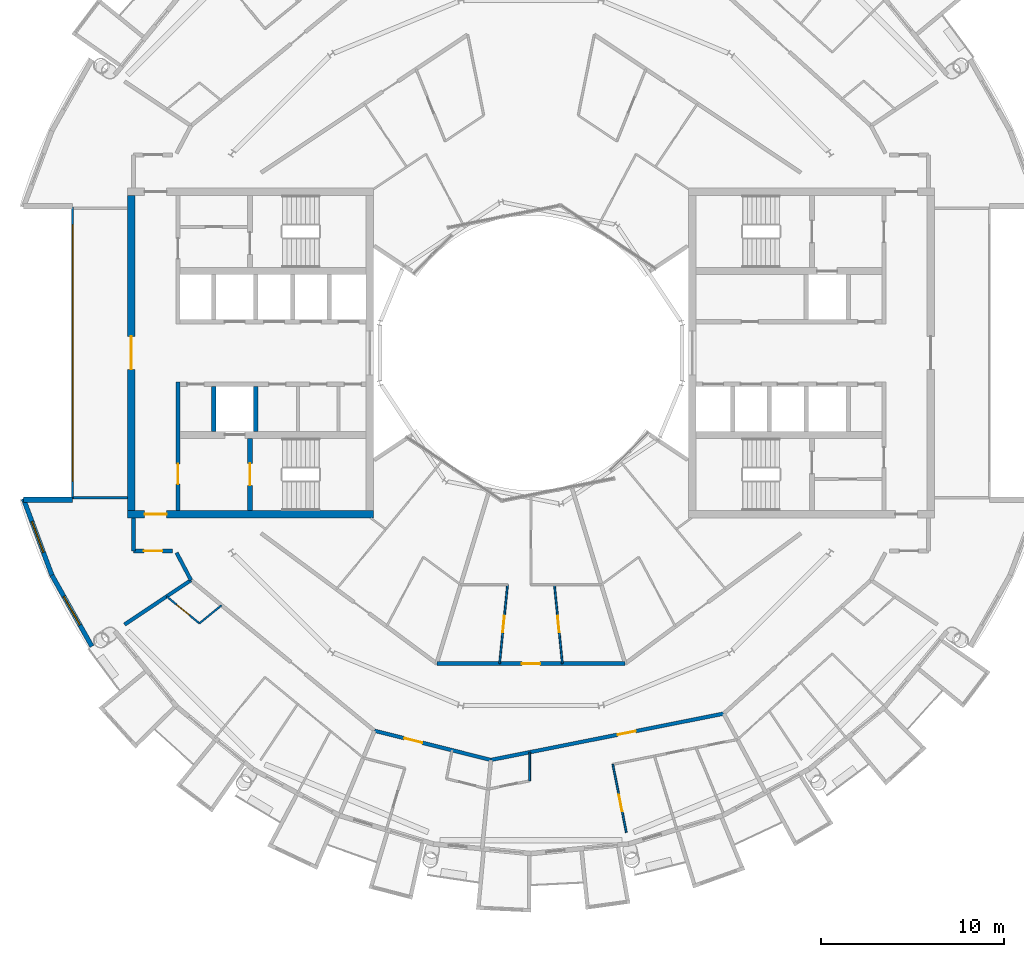
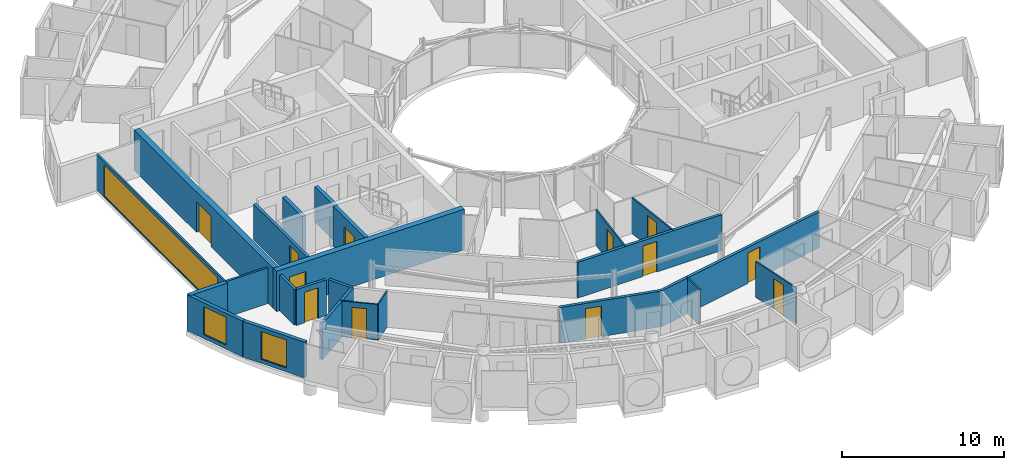
# One storey, part 16 of 28: 24 walls, 12 doors, 3 windows, 15 openings.
"""IFC4 building model written with IfcOpenShell, lengths in metres."""

import ifcopenshell
import ifcopenshell.guid

model = None  # the IFC model being written
_history = None  # IfcOwnerHistory: only IFC2X3 demands one
_inside = {}  # id of a spatial element -> (the spatial element, [elements in it])
_under = {}  # id of a project, library or spatial element -> (it, [spatial elements below it])
_declared = {}  # id of a project -> (the project, [libraries it declares])
_typed = {}  # id of a type object -> (the type object, [elements of that type])
_made_of = {}  # id of a material, layer set ... -> (it, [elements and type objects made of it])


def new_model(schema):
    """Start an empty IFC model of exactly this schema.

    Asked for "IFC4X3", IfcOpenShell would pick the latest addendum, in which some entities
    have other attributes; the version numbers below select the first issue.
    IFC2X3 requires an IfcOwnerHistory on every rooted entity: one is made here for all.
    """
    global model, _history
    if schema == "IFC4X3":
        model = ifcopenshell.file(schema_version=(4, 3, 0, 0))
    else:
        model = ifcopenshell.file(schema=schema)
    _inside.clear()
    _under.clear()
    _declared.clear()
    _typed.clear()
    _made_of.clear()
    _history = None
    if model.schema == "IFC2X3":
        org = make("IfcOrganization", Name="unknown")
        user = make(
            "IfcPersonAndOrganization",
            ThePerson=make("IfcPerson", FamilyName="unknown"),
            TheOrganization=org,
        )
        app = make(
            "IfcApplication",
            ApplicationDeveloper=org,
            Version="unknown",
            ApplicationFullName="unknown",
            ApplicationIdentifier="unknown",
        )
        _history = make(
            "IfcOwnerHistory",
            OwningUser=user,
            OwningApplication=app,
            ChangeAction="ADDED",
            CreationDate=0,
        )
    return model


def make(cls, **values):
    """One entity of the class cls with the attributes given. An attribute that is None is left unset."""
    return model.create_entity(
        cls, **{name: value for name, value in values.items() if value is not None}
    )


def rooted(cls, **values):
    """An entity with a GlobalId (a new one), such as an element, a storey or a relation."""
    return make(cls, GlobalId=ifcopenshell.guid.new(), OwnerHistory=_history, **values)


def si_unit(unit_type, name, prefix=None):
    """IfcSIUnit, for example si_unit("LENGTHUNIT", "METRE", prefix="MILLI")."""
    return make("IfcSIUnit", UnitType=unit_type, Prefix=prefix, Name=name)


def assignment(units):
    """IfcUnitAssignment: the units of a project."""
    return None if units is None else make("IfcUnitAssignment", Units=units)


def point(xyz):
    """IfcCartesianPoint."""
    return None if xyz is None else make("IfcCartesianPoint", Coordinates=xyz)


def direction(xyz):
    """IfcDirection."""
    return None if xyz is None else make("IfcDirection", DirectionRatios=xyz)


def frame(location, z_axis=None, x_axis=None):
    """IfcAxis2Placement3D, a coordinate frame: its origin and axes. An axis left out is left unset."""
    return make(
        "IfcAxis2Placement3D",
        Location=point(location),
        Axis=direction(z_axis),
        RefDirection=direction(x_axis),
    )


def frame_2d(location, x_axis=None):
    """IfcAxis2Placement2D, a coordinate frame in the plane: its origin and x axis."""
    return make(
        "IfcAxis2Placement2D", Location=point(location), RefDirection=direction(x_axis)
    )


def origin():
    """The frame at (0, 0, 0) with its axes left unset."""
    return frame((0.0, 0.0, 0.0))


def place(relative_to, where):
    """IfcLocalPlacement: puts the frame where relative to a parent placement (None: the world)."""
    return make(
        "IfcLocalPlacement", PlacementRelTo=relative_to, RelativePlacement=where
    )


def context(
    kind, dimensions, precision=None, world=None, true_north=None, identifier=None
):
    """IfcGeometricRepresentationContext, for example the 3D "Model" context."""
    return make(
        "IfcGeometricRepresentationContext",
        ContextIdentifier=identifier,
        ContextType=kind,
        CoordinateSpaceDimension=dimensions,
        Precision=precision,
        WorldCoordinateSystem=world,
        TrueNorth=true_north,
    )


def subcontext(parent, identifier, kind, view, scale=None):
    """IfcGeometricRepresentationSubContext, for example "Body" below "Model"."""
    return make(
        "IfcGeometricRepresentationSubContext",
        ContextIdentifier=identifier,
        ContextType=kind,
        ParentContext=parent,
        TargetScale=scale,
        TargetView=view,
    )


def project(units=None, contexts=None):
    """IfcProject with its units and contexts."""
    return rooted(
        "IfcProject",
        Name="project",
        RepresentationContexts=contexts,
        UnitsInContext=assignment(units),
    )


def spatial(cls, under=None, at=None, **own):
    """A site, building, storey or space (cls), placed at a placement, below another one or the project."""
    s = rooted(cls, ObjectPlacement=at, **own)
    if under is not None:
        _under.setdefault(under.id(), (under, []))[1].append(s)
    return s


def profile(cls, at=None, kind="AREA", **sizes):
    """A parametric profile (cls). Its sizes go by their IFC names, for example OverallWidth=200.0."""
    return make(cls, ProfileType=kind, Position=at, **sizes)


def rectangle(**sizes):
    """IfcRectangleProfileDef."""
    return profile("IfcRectangleProfileDef", **sizes)


def extrude(swept, where, along, depth):
    """IfcExtrudedAreaSolid: the profile swept, set in the frame where, extruded along a direction by depth."""
    return make(
        "IfcExtrudedAreaSolid",
        SweptArea=swept,
        Position=where,
        ExtrudedDirection=direction(along),
        Depth=depth,
    )


def shape(context_of_items, identifier, shape_type, items):
    """IfcShapeRepresentation: the items that make up one representation, for example the "Body"."""
    return make(
        "IfcShapeRepresentation",
        ContextOfItems=context_of_items,
        RepresentationIdentifier=identifier,
        RepresentationType=shape_type,
        Items=items,
    )


def material(Name=None, Category=None):
    """IfcMaterial."""
    return make("IfcMaterial", Name=Name, Category=Category)


def layer(
    of_material, thickness, ventilated=None, Name=None, Category=None, Priority=None
):
    """IfcMaterialLayer: one layer of a wall or slab, of a material (None: an air gap)."""
    return make(
        "IfcMaterialLayer",
        Material=of_material,
        LayerThickness=thickness,
        IsVentilated=ventilated,
        Name=Name,
        Category=Category,
        Priority=Priority,
    )


def layer_set(layers, Name=None):
    """IfcMaterialLayerSet."""
    return make("IfcMaterialLayerSet", MaterialLayers=layers, LayerSetName=Name)


def made_of(thing, what):
    """Note that an element or type object is made of a material, layer set ...; save() writes the relation."""
    if what is not None:
        _made_of.setdefault(what.id(), (what, []))[1].append(thing)
    return thing


def type_object(cls, material=None, **own):
    """A type object (cls), such as IfcWallType, which elements share."""
    return made_of(rooted(cls, **own), material)


def element(
    cls,
    number,
    at=None,
    inside=None,
    cuts=None,
    type_object=None,
    material=None,
    context=None,
    identifier="Body",
    shape_type=None,
    held_by="IfcProductDefinitionShape",
    body=None,
    shapes=None,
    **own,
):
    """One element of the class cls, such as IfcWall. Its Tag is "e" and its number.

    at: its placement. inside: the storey or other place that contains it. cuts: it is an
    opening in that element (IfcRelVoidsElement). A single representation is given by context,
    identifier, shape_type and body (its items); several are given by shapes. held_by: the class
    of the entity that holds the representations. save() writes the other relations.
    """
    e = rooted(cls, Tag="e%d" % number, ObjectPlacement=at, **own)
    if body is not None:
        shapes = [shape(context, identifier, shape_type, body)]
    if shapes is not None:
        e.Representation = make(held_by, Representations=shapes)
    if inside is not None:
        _inside.setdefault(inside.id(), (inside, []))[1].append(e)
    if cuts is not None:
        rooted(
            "IfcRelVoidsElement", RelatingBuildingElement=cuts, RelatedOpeningElement=e
        )
    if type_object is not None:
        _typed.setdefault(type_object.id(), (type_object, []))[1].append(e)
    return made_of(e, material)


def fill(opening, filler):
    """IfcRelFillsElement: the door or window that sits in an opening."""
    return rooted(
        "IfcRelFillsElement",
        RelatingOpeningElement=opening,
        RelatedBuildingElement=filler,
    )


def aggregate(whole, parts):
    """IfcRelAggregates: a whole, such as a stair, and the parts it consists of."""
    return rooted("IfcRelAggregates", RelatingObject=whole, RelatedObjects=parts)


def save(model, path):
    """Write the relations noted so far, then the file.

    IfcRelAggregates (storeys below a building ...), IfcRelContainedInSpatialStructure (elements
    in a storey), IfcRelDefinesByType, IfcRelAssociatesMaterial and IfcRelDeclares: one each for
    every whole, place, type object, material and project.
    """
    for whole, parts in _under.values():
        aggregate(whole, parts)
    for where, things in _inside.values():
        rooted(
            "IfcRelContainedInSpatialStructure",
            RelatedElements=things,
            RelatingStructure=where,
        )
    for kind, things in _typed.values():
        rooted("IfcRelDefinesByType", RelatedObjects=things, RelatingType=kind)
    for what, things in _made_of.values():
        rooted("IfcRelAssociatesMaterial", RelatedObjects=things, RelatingMaterial=what)
    for by, libraries in _declared.values():
        rooted("IfcRelDeclares", RelatingContext=by, RelatedDefinitions=libraries)
    model.write(path)


model = new_model("IFC4")

# Units and contexts
model_context = context("Model", 3, precision=1e-05, world=origin(), true_north=direction((0.0, 1.0)))
body_context = subcontext(model_context, "Body", "Model", "MODEL_VIEW")
ifc_project = project(units=[si_unit("LENGTHUNIT", "METRE"), si_unit("AREAUNIT", "SQUARE_METRE"), si_unit("VOLUMEUNIT", "CUBIC_METRE"), si_unit("PLANEANGLEUNIT", "RADIAN"), si_unit("MASSUNIT", "GRAM", prefix="KILO")], contexts=[model_context])

# Site, building, storey
site_placement = place(None, origin())
site = spatial("IfcSite", under=ifc_project, at=site_placement, CompositionType="ELEMENT")
building_placement = place(site_placement, origin())
building = spatial("IfcBuilding", under=site, at=building_placement, Name="Maasbend Ring Residences", CompositionType="ELEMENT")
storey_placement = place(building_placement, frame((0.0, 0.0, 231.0)))
storey = spatial("IfcBuildingStorey", under=building, at=storey_placement, Name="L66", CompositionType="ELEMENT", Elevation=231.0)

# Wall, opening, door
ifc_material_1 = material(Name="Concrete C50/60", Category="concrete")
ifc_layer_1 = layer(ifc_material_1, 0.25)
ifc_layer_set_1 = layer_set([ifc_layer_1], Name="Concrete C50/60")
wall_type_1 = type_object("IfcWallType", Name="CORE WALL 250 C50/60", PredefinedType="SHEAR", material=ifc_layer_set_1)
wall_1_placement = place(storey_placement, frame((-15.324951171875, -4.64990234375, 0.0), z_axis=(0.0, 0.0, 1.0), x_axis=(0.0, -1.0, 0.0)))
wall_1 = element("IfcWall", 1, at=wall_1_placement, inside=storey, type_object=wall_type_1, Name="L66 core W wall STEN", PredefinedType="SHEAR", context=body_context, shape_type="SweptSolid", body=[
    extrude(rectangle(XDim=3.9501953125, YDim=0.25, at=frame_2d((1.97509765625, 0.0))), origin(), (0.0, 0.0, 1.0), 3.050048828125),
])
opening_1_placement = place(wall_1_placement, frame((1.375, 0.0, 0.0)))
opening_1 = element("IfcOpeningElement", 2, at=opening_1_placement, cuts=wall_1, Name="Opening D-W6611", PredefinedType="OPENING", context=body_context, shape_type="SweptSolid", body=[
    extrude(rectangle(XDim=1.199951171875, YDim=2.300048828125, at=frame_2d((0.60009765625, 1.14990234375))), frame((0.0, 0.135009765625, 0.0), z_axis=(0.0, -1.0, 0.0), x_axis=(1.0, 0.0, 0.0)), (0.0, 0.0, 1.0), 0.27001953125),
])
ifc_material_2 = material(Name="Steel, powder coated", Category="steel")
door_type_1 = type_object("IfcDoorType", Name="STAIR DOOR 1200 X 2300 FD60", OperationType="NOTDEFINED", PredefinedType="DOOR", material=ifc_material_2)
door_1_placement = place(opening_1_placement, origin())
door_1 = element("IfcDoor", 3, at=door_1_placement, inside=storey, type_object=door_type_1, Name="Stair door ST-W L66", OperationType="SINGLE_SWING_LEFT", OverallHeight=2.300048828125, OverallWidth=1.199951171875, PredefinedType="DOOR", context=body_context, shape_type="SweptSolid", body=[
    extrude(rectangle(XDim=1.199951171875, YDim=2.300048828125, at=frame_2d((0.60009765625, 1.14990234375))), frame((0.0, 0.02490234375, 0.0), z_axis=(0.0, -1.0, 0.0), x_axis=(1.0, 0.0, 0.0)), (0.0, 0.0, 1.0), 0.050048828125),
])
fill(opening_1, door_1)

ifc_material_3 = material(Name="Concrete C50/60", Category="concrete")
ifc_layer_2 = layer(ifc_material_3, 0.39990234375)
ifc_layer_set_2 = layer_set([ifc_layer_2], Name="Concrete C50/60")
wall_type_2 = type_object("IfcWallType", Name="CORE WALL 400 C50/60", PredefinedType="SHEAR", material=ifc_layer_set_2)
wall_2_placement = place(storey_placement, frame((-22.0, -8.800048828125, 0.0), z_axis=(0.0, 0.0, 1.0), x_axis=(1.0, 0.0, 0.0)))
wall_2 = element("IfcWall", 4, at=wall_2_placement, inside=storey, type_object=wall_type_2, Name="L66 core W wall PN", PredefinedType="SHEAR", context=body_context, shape_type="SweptSolid", body=[
    extrude(rectangle(XDim=13.39990234375, YDim=0.39990234375, at=frame_2d((6.699951171875, 0.0))), origin(), (0.0, 0.0, 1.0), 3.050048828125),
])
opening_2_placement = place(wall_2_placement, frame((0.925048828125, 0.0, 0.0)))
opening_2 = element("IfcOpeningElement", 5, at=opening_2_placement, cuts=wall_2, Name="Opening D-W6615", PredefinedType="OPENING", context=body_context, shape_type="SweptSolid", body=[
    extrude(rectangle(XDim=1.199951171875, YDim=2.300048828125, at=frame_2d((0.60009765625, 1.14990234375))), frame((0.0, 0.2099609375, 0.0), z_axis=(0.0, -1.0, 0.0), x_axis=(1.0, 0.0, 0.0)), (0.0, 0.0, 1.0), 0.419921875),
])
ifc_material_4 = material(Name="Steel, powder coated", Category="steel")
door_type_2 = type_object("IfcDoorType", Name="CORRIDOR DOOR 1200 X 2300 FD30S", OperationType="NOTDEFINED", PredefinedType="DOOR", material=ifc_material_4)
door_2_placement = place(opening_2_placement, origin())
door_2 = element("IfcDoor", 6, at=door_2_placement, inside=storey, type_object=door_type_2, Name="Corridor door L66", OperationType="SINGLE_SWING_RIGHT", OverallHeight=2.300048828125, OverallWidth=1.199951171875, PredefinedType="DOOR", context=body_context, shape_type="SweptSolid", body=[
    extrude(rectangle(XDim=1.199951171875, YDim=2.300048828125, at=frame_2d((0.60009765625, 1.14990234375))), frame((0.0, 0.02490234375, 0.0), z_axis=(0.0, -1.0, 0.0), x_axis=(1.0, 0.0, 0.0)), (0.0, 0.0, 1.0), 0.050048828125),
])
fill(opening_2, door_2)

wall_3_placement = place(storey_placement, frame((-21.800048828125, -8.60009765625, 0.0), z_axis=(0.0, 0.0, 1.0), x_axis=(0.0, 1.0, 0.0)))
wall_3 = element("IfcWall", 7, at=wall_3_placement, inside=storey, type_object=wall_type_2, Name="L66 core W wall POUT", PredefinedType="SHEAR", context=body_context, shape_type="SweptSolid", body=[
    extrude(rectangle(XDim=17.2001953125, YDim=0.39990234375, at=frame_2d((8.60009765625, 0.0))), origin(), (0.0, 0.0, 1.0), 3.050048828125),
])
opening_3_placement = place(wall_3_placement, frame((7.699951171875, 0.0, 0.0)))
opening_3 = element("IfcOpeningElement", 8, at=opening_3_placement, cuts=wall_3, Name="Opening D-W6617", PredefinedType="OPENING", context=body_context, shape_type="SweptSolid", body=[
    extrude(rectangle(XDim=1.800048828125, YDim=2.300048828125, at=frame_2d((0.89990234375, 1.14990234375))), frame((0.0, 0.2099609375, 0.0), z_axis=(0.0, -1.0, 0.0), x_axis=(1.0, 0.0, 0.0)), (0.0, 0.0, 1.0), 0.419921875),
])
ifc_material_5 = material(Name="Aluminium frame, clear glass", Category="aluminium")
door_type_3 = type_object("IfcDoorType", Name="ENTRANCE DOOR 1800 X 2300 FD60", OperationType="NOTDEFINED", PredefinedType="DOOR", material=ifc_material_5)
door_3_placement = place(opening_3_placement, origin())
door_3 = element("IfcDoor", 9, at=door_3_placement, inside=storey, type_object=door_type_3, Name="Lobby glazed door L66", OperationType="SINGLE_SWING_LEFT", OverallHeight=2.300048828125, OverallWidth=1.800048828125, PredefinedType="DOOR", context=body_context, shape_type="SweptSolid", body=[
    extrude(rectangle(XDim=1.800048828125, YDim=2.300048828125, at=frame_2d((0.89990234375, 1.14990234375))), frame((0.0, 0.02490234375, 0.0), z_axis=(0.0, -1.0, 0.0), x_axis=(1.0, 0.0, 0.0)), (0.0, 0.0, 1.0), 0.050048828125),
])
fill(opening_3, door_3)

# Wall
ifc_material_6 = material(Name="Concrete C30/37", Category="concrete")
ifc_layer_3 = layer(ifc_material_6, 0.199951171875)
ifc_layer_set_3 = layer_set([ifc_layer_3], Name="Concrete C30/37")
wall_type_3 = type_object("IfcWallType", Name="CORRIDOR WALL 200 CONCRETE", PredefinedType="PARTITIONING", material=ifc_layer_set_3)
wall_4_placement = place(storey_placement, frame((-19.327880859375, -10.89599609375, 0.0), z_axis=(0.0, 0.0, 1.0), x_axis=(0.465812036273, -0.88488369115, 0.0)))
element("IfcWall", 10, at=wall_4_placement, inside=storey, type_object=wall_type_3, Name="U-L66-w009", PredefinedType="PARTITIONING", context=body_context, shape_type="SweptSolid", body=[
    extrude(rectangle(XDim=1.687255859375, YDim=0.199951171875, at=frame_2d((0.84375, 0.0))), origin(), (0.0, 0.0, 1.0), 2.699951171875),
])

# Wall, opening, door
wall_5_placement = place(storey_placement, frame((-8.533935546875, -20.60302734375, 0.0), z_axis=(0.0, 0.0, 1.0), x_axis=(0.97003047456, -0.242983288366, 0.0)))
wall_5 = element("IfcWall", 11, at=wall_5_placement, inside=storey, type_object=wall_type_3, Name="U-L66-w011", PredefinedType="PARTITIONING", context=body_context, shape_type="SweptSolid", body=[
    extrude(rectangle(XDim=6.5439453125, YDim=0.199951171875, at=frame_2d((3.27197265625, 0.0))), origin(), (0.0, 0.0, 1.0), 2.699951171875),
])
opening_4_placement = place(wall_5_placement, frame((1.680908203125, 0.0, 0.0)))
opening_4 = element("IfcOpeningElement", 12, at=opening_4_placement, cuts=wall_5, Name="Opening D-6632", PredefinedType="OPENING", context=body_context, shape_type="SweptSolid", body=[
    extrude(rectangle(XDim=1.0, YDim=2.300048828125, at=frame_2d((0.5, 1.14990234375))), frame((0.0, 0.10986328125, 0.0), z_axis=(0.0, -1.0, 0.0), x_axis=(1.0, 0.0, 0.0)), (0.0, 0.0, 1.0), 0.219970703125),
])
ifc_material_7 = material(Name="Timber, fire-rated, painted", Category="wood")
door_type_4 = type_object("IfcDoorType", Name="FLAT ENTRANCE DOOR 1000 X 2300 FIRE-RATED", OperationType="NOTDEFINED", PredefinedType="DOOR", material=ifc_material_7)
door_4_placement = place(opening_4_placement, origin())
door_4 = element("IfcDoor", 13, at=door_4_placement, inside=storey, type_object=door_type_4, Name="D-6632", OperationType="SINGLE_SWING_LEFT", OverallHeight=2.300048828125, OverallWidth=1.0, PredefinedType="DOOR", context=body_context, shape_type="SweptSolid", body=[
    extrude(rectangle(XDim=1.0, YDim=2.300048828125, at=frame_2d((0.5, 1.14990234375))), frame((0.0, 0.02490234375, 0.0), z_axis=(0.0, -1.0, 0.0), x_axis=(1.0, 0.0, 0.0)), (0.0, 0.0, 1.0), 0.050048828125),
])
fill(opening_4, door_4)

wall_6_placement = place(storey_placement, frame((-2.18603515625, -22.193115234375, 0.0), z_axis=(0.0, 0.0, 1.0), x_axis=(0.980780341017, 0.195115152343, 0.0)))
wall_6 = element("IfcWall", 14, at=wall_6_placement, inside=storey, type_object=wall_type_3, Name="U-L66-w016", PredefinedType="PARTITIONING", context=body_context, shape_type="SweptSolid", body=[
    extrude(rectangle(XDim=12.94677734375, YDim=0.199951171875, at=frame_2d((6.473388671875, 0.0))), origin(), (0.0, 0.0, 1.0), 2.699951171875),
])
opening_5_placement = place(wall_6_placement, frame((7.052978515625, 0.0, 0.0)))
opening_5 = element("IfcOpeningElement", 15, at=opening_5_placement, cuts=wall_6, Name="Opening D-6635", PredefinedType="OPENING", context=body_context, shape_type="SweptSolid", body=[
    extrude(rectangle(XDim=1.0, YDim=2.300048828125, at=frame_2d((0.5, 1.14990234375))), frame((0.0, 0.10986328125, 0.0), z_axis=(0.0, -1.0, 0.0), x_axis=(1.0, 0.0, 0.0)), (0.0, 0.0, 1.0), 0.219970703125),
])
door_5_placement = place(opening_5_placement, origin())
door_5 = element("IfcDoor", 16, at=door_5_placement, inside=storey, type_object=door_type_4, Name="D-6635", OperationType="SINGLE_SWING_RIGHT", OverallHeight=2.300048828125, OverallWidth=1.0, PredefinedType="DOOR", context=body_context, shape_type="SweptSolid", body=[
    extrude(rectangle(XDim=1.0, YDim=2.300048828125, at=frame_2d((0.5, 1.14990234375))), frame((0.0, 0.02490234375, 0.0), z_axis=(0.0, -1.0, 0.0), x_axis=(1.0, 0.0, 0.0)), (0.0, 0.0, 1.0), 0.050048828125),
])
fill(opening_5, door_5)

wall_7_placement = place(storey_placement, frame((-5.137939453125, -16.93798828125, 0.0), z_axis=(0.0, 0.0, 1.0), x_axis=(1.0, 0.0, 0.0)))
wall_7 = element("IfcWall", 17, at=wall_7_placement, inside=storey, type_object=wall_type_3, Name="U-L66-w017", PredefinedType="PARTITIONING", context=body_context, shape_type="SweptSolid", body=[
    extrude(rectangle(XDim=10.27587890625, YDim=0.199951171875, at=frame_2d((5.137939453125, 0.0))), origin(), (0.0, 0.0, 1.0), 2.699951171875),
])
opening_6_placement = place(wall_7_placement, frame((4.637939453125, 0.0, 0.0)))
opening_6 = element("IfcOpeningElement", 18, at=opening_6_placement, cuts=wall_7, Name="Opening D-6649", PredefinedType="OPENING", context=body_context, shape_type="SweptSolid", body=[
    extrude(rectangle(XDim=1.0, YDim=2.300048828125, at=frame_2d((0.5, 1.14990234375))), frame((0.0, 0.10986328125, 0.0), z_axis=(0.0, -1.0, 0.0), x_axis=(1.0, 0.0, 0.0)), (0.0, 0.0, 1.0), 0.219970703125),
])
door_6_placement = place(opening_6_placement, origin())
door_6 = element("IfcDoor", 19, at=door_6_placement, inside=storey, type_object=door_type_4, Name="D-6649", OperationType="SINGLE_SWING_LEFT", OverallHeight=2.300048828125, OverallWidth=1.0, PredefinedType="DOOR", context=body_context, shape_type="SweptSolid", body=[
    extrude(rectangle(XDim=1.0, YDim=2.300048828125, at=frame_2d((0.5, 1.14990234375))), frame((0.0, 0.02490234375, 0.0), z_axis=(0.0, -1.0, 0.0), x_axis=(1.0, 0.0, 0.0)), (0.0, 0.0, 1.0), 0.050048828125),
])
fill(opening_6, door_6)

wall_8_placement = place(storey_placement, frame((-21.675048828125, -10.800048828125, 0.0), z_axis=(0.0, 0.0, 1.0), x_axis=(1.0, 0.0, 0.0)))
wall_8 = element("IfcWall", 20, at=wall_8_placement, inside=storey, type_object=wall_type_3, Name="U-L66-w026", PredefinedType="PARTITIONING", context=body_context, shape_type="SweptSolid", body=[
    extrude(rectangle(XDim=2.132080078125, YDim=0.199951171875, at=frame_2d((1.06591796875, 0.0))), origin(), (0.0, 0.0, 1.0), 2.699951171875),
])
opening_7_placement = place(wall_8_placement, frame((0.56591796875, 0.0, 0.0)))
opening_7 = element("IfcOpeningElement", 21, at=opening_7_placement, cuts=wall_8, Name="Opening D-6657", PredefinedType="OPENING", context=body_context, shape_type="SweptSolid", body=[
    extrude(rectangle(XDim=1.0, YDim=2.300048828125, at=frame_2d((0.5, 1.14990234375))), frame((0.0, 0.10986328125, 0.0), z_axis=(0.0, -1.0, 0.0), x_axis=(1.0, 0.0, 0.0)), (0.0, 0.0, 1.0), 0.219970703125),
])
ifc_material_8 = material(Name="Timber, painted", Category="wood")
door_type_5 = type_object("IfcDoorType", Name="ROOM DOOR 1000 X 2300", OperationType="NOTDEFINED", PredefinedType="DOOR", material=ifc_material_8)
door_7_placement = place(opening_7_placement, origin())
door_7 = element("IfcDoor", 22, at=door_7_placement, inside=storey, type_object=door_type_5, Name="D-6657", OperationType="SINGLE_SWING_LEFT", OverallHeight=2.300048828125, OverallWidth=1.0, PredefinedType="DOOR", context=body_context, shape_type="SweptSolid", body=[
    extrude(rectangle(XDim=1.0, YDim=2.300048828125, at=frame_2d((0.5, 1.14990234375))), frame((0.0, 0.02490234375, 0.0), z_axis=(0.0, -1.0, 0.0), x_axis=(1.0, 0.0, 0.0)), (0.0, 0.0, 1.0), 0.050048828125),
])
fill(opening_7, door_7)

# Wall
wall_9_placement = place(storey_placement, frame((-21.675048828125, -10.800048828125, 0.0), z_axis=(0.0, 0.0, 1.0), x_axis=(0.0, 1.0, 0.0)))
element("IfcWall", 23, at=wall_9_placement, inside=storey, type_object=wall_type_3, Name="U-L66-w096", PredefinedType="PARTITIONING", context=body_context, shape_type="SweptSolid", body=[
    extrude(rectangle(XDim=1.800048828125, YDim=0.199951171875, at=frame_2d((0.89990234375, 0.0))), origin(), (0.0, 0.0, 1.0), 2.699951171875),
])

# Wall, opening, window
ifc_material_9 = material(Name="Aluminium clad insulated panel", Category="aluminium")
ifc_layer_4 = layer(ifc_material_9, 0.25)
ifc_layer_set_4 = layer_set([ifc_layer_4], Name="EW-HORN")
wall_type_4 = type_object("IfcWallType", Name="EW-HORN", PredefinedType="SOLIDWALL", material=ifc_layer_set_4)
wall_10_placement = place(storey_placement, frame((-27.681884765625, -7.945068359375, 0.0), z_axis=(0.0, 0.0, 1.0), x_axis=(0.349247811493, -0.937030397675, 0.0)))
wall_10 = element("IfcWall", 24, at=wall_10_placement, inside=storey, type_object=wall_type_4, Name="Horn wall 3.1", PredefinedType="SOLIDWALL", context=body_context, shape_type="SweptSolid", body=[
    extrude(rectangle(XDim=4.4521484375, YDim=0.25, at=frame_2d((2.22607421875, 0.0))), origin(), (0.0, 0.0, 1.0), 2.699951171875),
])
opening_8_placement = place(wall_10_placement, frame((1.32666015625, 0.0, 0.300048828125)))
opening_8 = element("IfcOpeningElement", 25, at=opening_8_placement, cuts=wall_10, Name="Opening W-BX", PredefinedType="OPENING", context=body_context, shape_type="SweptSolid", body=[
    extrude(rectangle(XDim=1.800048828125, YDim=2.10009765625, at=frame_2d((0.89990234375, 1.050048828125))), frame((0.0, 0.135009765625, 0.0), z_axis=(0.0, -1.0, 0.0), x_axis=(1.0, 0.0, 0.0)), (0.0, 0.0, 1.0), 0.27001953125),
])
ifc_material_10 = material(Name="Aluminium and clear glass", Category="aluminium")
window_type_1 = type_object("IfcWindowType", Name="W-BX", PartitioningType="DOUBLE_PANEL_VERTICAL", PredefinedType="WINDOW", material=ifc_material_10)
window_1_placement = place(opening_8_placement, origin())
window_1 = element("IfcWindow", 26, at=window_1_placement, inside=storey, type_object=window_type_1, Name="Horn window 3.1", OverallHeight=2.10009765625, OverallWidth=1.800048828125, PartitioningType="SINGLE_PANEL", PredefinedType="WINDOW", context=body_context, shape_type="SweptSolid", body=[
    extrude(rectangle(XDim=1.800048828125, YDim=2.10009765625, at=frame_2d((0.89990234375, 1.050048828125))), frame((0.0, 0.030029296875, 0.0), z_axis=(0.0, -1.0, 0.0), x_axis=(1.0, 0.0, 0.0)), (0.0, 0.0, 1.0), 0.06005859375),
])
fill(opening_8, window_1)

wall_11_placement = place(storey_placement, frame((-26.126953125, -12.116943359375, 0.0), z_axis=(0.0, 0.0, 1.0), x_axis=(0.489696356642, -0.871893042919, 0.0)))
wall_11 = element("IfcWall", 27, at=wall_11_placement, inside=storey, type_object=wall_type_4, Name="Horn wall 3.2", PredefinedType="SOLIDWALL", context=body_context, shape_type="SweptSolid", body=[
    extrude(rectangle(XDim=4.45361328125, YDim=0.25, at=frame_2d((2.226806640625, 0.0))), origin(), (0.0, 0.0, 1.0), 2.699951171875),
])
opening_9_placement = place(wall_11_placement, frame((1.32666015625, 0.0, 0.300048828125)))
opening_9 = element("IfcOpeningElement", 28, at=opening_9_placement, cuts=wall_11, Name="Opening W-BX", PredefinedType="OPENING", context=body_context, shape_type="SweptSolid", body=[
    extrude(rectangle(XDim=1.800048828125, YDim=2.10009765625, at=frame_2d((0.89990234375, 1.050048828125))), frame((0.0, 0.135009765625, 0.0), z_axis=(0.0, -1.0, 0.0), x_axis=(1.0, 0.0, 0.0)), (0.0, 0.0, 1.0), 0.27001953125),
])
window_2_placement = place(opening_9_placement, origin())
window_2 = element("IfcWindow", 29, at=window_2_placement, inside=storey, type_object=window_type_1, Name="Horn window 3.2", OverallHeight=2.10009765625, OverallWidth=1.800048828125, PartitioningType="SINGLE_PANEL", PredefinedType="WINDOW", context=body_context, shape_type="SweptSolid", body=[
    extrude(rectangle(XDim=1.800048828125, YDim=2.10009765625, at=frame_2d((0.89990234375, 1.050048828125))), frame((0.0, 0.030029296875, 0.0), z_axis=(0.0, -1.0, 0.0), x_axis=(1.0, 0.0, 0.0)), (0.0, 0.0, 1.0), 0.06005859375),
])
fill(opening_9, window_2)

# Wall
ifc_material_11 = material(Name="Aluminium clad insulated panel", Category="aluminium")
ifc_layer_5 = layer(ifc_material_11, 0.300048828125)
ifc_layer_set_5 = layer_set([ifc_layer_5], Name="EW-RET")
wall_type_5 = type_object("IfcWallType", Name="EW-RET", PredefinedType="SOLIDWALL", material=ifc_layer_set_5)
wall_12_placement = place(storey_placement, frame((-25.0, -8.0, 0.0), z_axis=(0.0, 0.0, 1.0), x_axis=(-1.0, 0.0, 0.0)))
element("IfcWall", 30, at=wall_12_placement, inside=storey, type_object=wall_type_5, Name="Notch return wall west south", PredefinedType="SOLIDWALL", context=body_context, shape_type="SweptSolid", body=[
    extrude(rectangle(XDim=2.6669921875, YDim=0.300048828125, at=frame_2d((1.33349609375, 0.0))), origin(), (0.0, 0.0, 1.0), 2.699951171875),
])

# Wall, opening, window
ifc_material_12 = material(Name="Aluminium frame and clear glass", Category="aluminium")
ifc_layer_6 = layer(ifc_material_12, 0.1201171875)
ifc_layer_set_6 = layer_set([ifc_layer_6], Name="GLAZED SCREEN WALL 120 EI 60")
wall_type_6 = type_object("IfcWallType", Name="GLAZED SCREEN WALL 120 EI 60", PredefinedType="PARTITIONING", material=ifc_layer_set_6)
wall_13_placement = place(storey_placement, frame((-25.0, 7.949951171875, 0.0), z_axis=(0.0, 0.0, 1.0), x_axis=(0.0, -1.0, 0.0)))
wall_13 = element("IfcWall", 31, at=wall_13_placement, inside=storey, type_object=wall_type_6, Name="L66 core W wall FACE", PredefinedType="PARTITIONING", context=body_context, shape_type="SweptSolid", body=[
    extrude(rectangle(XDim=15.89990234375, YDim=0.1201171875, at=frame_2d((7.949951171875, 0.0))), origin(), (0.0, 0.0, 1.0), 2.699951171875),
])
opening_10_placement = place(wall_13_placement, frame((0.949951171875, 0.0, 0.10009765625)))
opening_10 = element("IfcOpeningElement", 32, at=opening_10_placement, cuts=wall_13, Name="Opening W-W6602", PredefinedType="OPENING", context=body_context, shape_type="SweptSolid", body=[
    extrude(rectangle(XDim=14.0, YDim=2.35009765625, at=frame_2d((7.0, 1.175048828125))), frame((0.0, 0.070068359375, 0.0), z_axis=(0.0, -1.0, 0.0), x_axis=(1.0, 0.0, 0.0)), (0.0, 0.0, 1.0), 0.14013671875),
])
ifc_material_13 = material(Name="Aluminium frame and clear glass", Category="aluminium")
window_type_2 = type_object("IfcWindowType", Name="FIXED WINDOW 14000 X 2350", PartitioningType="SINGLE_PANEL", PredefinedType="WINDOW", material=ifc_material_13)
window_3_placement = place(opening_10_placement, origin())
window_3 = element("IfcWindow", 33, at=window_3_placement, inside=storey, type_object=window_type_2, Name="Lobby window L66", OverallHeight=2.35009765625, OverallWidth=14.0, PartitioningType="SINGLE_PANEL", PredefinedType="WINDOW", context=body_context, shape_type="SweptSolid", body=[
    extrude(rectangle(XDim=14.0, YDim=2.35009765625, at=frame_2d((7.0, 1.175048828125))), frame((0.0, 0.030029296875, 0.0), z_axis=(0.0, -1.0, 0.0), x_axis=(1.0, 0.0, 0.0)), (0.0, 0.0, 1.0), 0.06005859375),
])
fill(opening_10, window_3)

# Wall, opening, door
ifc_material_14 = material(Name="Gypsum board on steel studs", Category="steel")
ifc_layer_7 = layer(ifc_material_14, 0.10009765625)
ifc_layer_set_7 = layer_set([ifc_layer_7], Name="PARTITION 100 GYPSUM")
wall_type_7 = type_object("IfcWallType", Name="PARTITION 100 GYPSUM", PredefinedType="PARTITIONING", material=ifc_layer_set_7)
wall_14_placement = place(storey_placement, frame((-19.875, -13.27392578125, 0.0), z_axis=(0.0, 0.0, 1.0), x_axis=(0.77288890179, -0.634541366256, 0.0)))
wall_14 = element("IfcWall", 34, at=wall_14_placement, inside=storey, type_object=wall_type_7, Name="U-L66-w005", PredefinedType="PARTITIONING", context=body_context, shape_type="SweptSolid", body=[
    extrude(rectangle(XDim=2.3134765625, YDim=0.10009765625, at=frame_2d((1.15673828125, 0.0))), origin(), (0.0, 0.0, 1.0), 2.699951171875),
])
opening_11_placement = place(wall_14_placement, frame((0.7109375, 0.0, 0.0)))
opening_11 = element("IfcOpeningElement", 35, at=opening_11_placement, cuts=wall_14, Name="Opening D-6628", PredefinedType="OPENING", context=body_context, shape_type="SweptSolid", body=[
    extrude(rectangle(XDim=0.89990234375, YDim=2.300048828125, at=frame_2d((0.449951171875, 1.14990234375))), frame((0.0, 0.06005859375, 0.0), z_axis=(0.0, -1.0, 0.0), x_axis=(1.0, 0.0, 0.0)), (0.0, 0.0, 1.0), 0.1201171875),
])
ifc_material_15 = material(Name="Timber, painted", Category="wood")
door_type_6 = type_object("IfcDoorType", Name="INTERNAL DOOR 900 X 2300", OperationType="NOTDEFINED", PredefinedType="DOOR", material=ifc_material_15)
door_8_placement = place(opening_11_placement, origin())
door_8 = element("IfcDoor", 36, at=door_8_placement, inside=storey, type_object=door_type_6, Name="D-6628", OperationType="SINGLE_SWING_RIGHT", OverallHeight=2.300048828125, OverallWidth=0.89990234375, PredefinedType="DOOR", context=body_context, shape_type="SweptSolid", body=[
    extrude(rectangle(XDim=0.89990234375, YDim=2.300048828125, at=frame_2d((0.449951171875, 1.14990234375))), frame((0.0, 0.02490234375, 0.0), z_axis=(0.0, -1.0, 0.0), x_axis=(1.0, 0.0, 0.0)), (0.0, 0.0, 1.0), 0.050048828125),
])
fill(opening_11, door_8)

# Wall
wall_15_placement = place(storey_placement, frame((-18.083984375, -14.7451171875, 0.0), z_axis=(0.0, 0.0, 1.0), x_axis=(0.774869051393, 0.632121786679, 0.0)))
element("IfcWall", 37, at=wall_15_placement, inside=storey, type_object=wall_type_7, Name="U-L66-w034", PredefinedType="PARTITIONING", context=body_context, shape_type="SweptSolid", body=[
    extrude(rectangle(XDim=1.5615234375, YDim=0.10009765625, at=frame_2d((0.78076171875, 0.0))), origin(), (0.0, 0.0, 1.0), 2.699951171875),
])

# Wall, opening, door
wall_16_placement = place(storey_placement, frame((-1.712890625, -16.93798828125, 0.0), z_axis=(0.0, 0.0, 1.0), x_axis=(0.100650711003, 0.994921823248, 0.0)))
wall_16 = element("IfcWall", 38, at=wall_16_placement, inside=storey, type_object=wall_type_7, Name="U-L66-w052", PredefinedType="PARTITIONING", context=body_context, shape_type="SweptSolid", body=[
    extrude(rectangle(XDim=4.320068359375, YDim=0.10009765625, at=frame_2d((2.16015625, 0.0))), origin(), (0.0, 0.0, 1.0), 2.699951171875),
])
opening_12_placement = place(wall_16_placement, frame((1.7099609375, 0.0, 0.0)))
opening_12 = element("IfcOpeningElement", 39, at=opening_12_placement, cuts=wall_16, Name="Opening D-6650", PredefinedType="OPENING", context=body_context, shape_type="SweptSolid", body=[
    extrude(rectangle(XDim=0.89990234375, YDim=2.300048828125, at=frame_2d((0.449951171875, 1.14990234375))), frame((0.0, 0.06005859375, 0.0), z_axis=(0.0, -1.0, 0.0), x_axis=(1.0, 0.0, 0.0)), (0.0, 0.0, 1.0), 0.1201171875),
])
door_9_placement = place(opening_12_placement, origin())
door_9 = element("IfcDoor", 40, at=door_9_placement, inside=storey, type_object=door_type_6, Name="D-6650", OperationType="SINGLE_SWING_LEFT", OverallHeight=2.300048828125, OverallWidth=0.89990234375, PredefinedType="DOOR", context=body_context, shape_type="SweptSolid", body=[
    extrude(rectangle(XDim=0.89990234375, YDim=2.300048828125, at=frame_2d((0.449951171875, 1.14990234375))), frame((0.0, 0.02490234375, 0.0), z_axis=(0.0, -1.0, 0.0), x_axis=(1.0, 0.0, 0.0)), (0.0, 0.0, 1.0), 0.050048828125),
])
fill(opening_12, door_9)

# Wall
wall_17_placement = place(storey_placement, frame((-0.073974609375, -23.333984375, 0.0), z_axis=(0.0, 0.0, 1.0), x_axis=(0.003125961595, 0.99999511417, 0.0)))
element("IfcWall", 41, at=wall_17_placement, inside=storey, type_object=wall_type_7, Name="U-L66-w053", PredefinedType="PARTITIONING", context=body_context, shape_type="SweptSolid", body=[
    extrude(rectangle(XDim=1.56201171875, YDim=0.10009765625, at=frame_2d((0.781005859375, 0.0))), origin(), (0.0, 0.0, 1.0), 2.699951171875),
])

# Wall, opening, door
wall_18_placement = place(storey_placement, frame((1.278076171875, -12.639892578125, 0.0), z_axis=(0.0, 0.0, 1.0), x_axis=(0.100650711003, -0.994921823248, 0.0)))
wall_18 = element("IfcWall", 42, at=wall_18_placement, inside=storey, type_object=wall_type_7, Name="U-L66-w056", PredefinedType="PARTITIONING", context=body_context, shape_type="SweptSolid", body=[
    extrude(rectangle(XDim=4.320068359375, YDim=0.10009765625, at=frame_2d((2.16015625, 0.0))), origin(), (0.0, 0.0, 1.0), 2.699951171875),
])
opening_13_placement = place(wall_18_placement, frame((1.7099609375, 0.0, 0.0)))
opening_13 = element("IfcOpeningElement", 43, at=opening_13_placement, cuts=wall_18, Name="Opening D-6651", PredefinedType="OPENING", context=body_context, shape_type="SweptSolid", body=[
    extrude(rectangle(XDim=0.89990234375, YDim=2.300048828125, at=frame_2d((0.449951171875, 1.14990234375))), frame((0.0, 0.06005859375, 0.0), z_axis=(0.0, -1.0, 0.0), x_axis=(1.0, 0.0, 0.0)), (0.0, 0.0, 1.0), 0.1201171875),
])
door_10_placement = place(opening_13_placement, origin())
door_10 = element("IfcDoor", 44, at=door_10_placement, inside=storey, type_object=door_type_6, Name="D-6651", OperationType="SINGLE_SWING_RIGHT", OverallHeight=2.300048828125, OverallWidth=0.89990234375, PredefinedType="DOOR", context=body_context, shape_type="SweptSolid", body=[
    extrude(rectangle(XDim=0.89990234375, YDim=2.300048828125, at=frame_2d((0.449951171875, 1.14990234375))), frame((0.0, 0.02490234375, 0.0), z_axis=(0.0, -1.0, 0.0), x_axis=(1.0, 0.0, 0.0)), (0.0, 0.0, 1.0), 0.050048828125),
])
fill(opening_13, door_10)

wall_19_placement = place(storey_placement, frame((4.4619140625, -22.430908203125, 0.0), z_axis=(0.0, 0.0, 1.0), x_axis=(0.19505033302, -0.980793233862, 0.0)))
wall_19 = element("IfcWall", 45, at=wall_19_placement, inside=storey, type_object=wall_type_7, Name="U-L66-w060", PredefinedType="PARTITIONING", context=body_context, shape_type="SweptSolid", body=[
    extrude(rectangle(XDim=3.788818359375, YDim=0.10009765625, at=frame_2d((1.89453125, 0.0))), origin(), (0.0, 0.0, 1.0), 2.699951171875),
])
opening_14_placement = place(wall_19_placement, frame((1.701904296875, 0.0, 0.0)))
opening_14 = element("IfcOpeningElement", 46, at=opening_14_placement, cuts=wall_19, Name="Opening D-6637", PredefinedType="OPENING", context=body_context, shape_type="SweptSolid", body=[
    extrude(rectangle(XDim=0.89990234375, YDim=2.300048828125, at=frame_2d((0.449951171875, 1.14990234375))), frame((0.0, 0.06005859375, 0.0), z_axis=(0.0, -1.0, 0.0), x_axis=(1.0, 0.0, 0.0)), (0.0, 0.0, 1.0), 0.1201171875),
])
door_11_placement = place(opening_14_placement, origin())
door_11 = element("IfcDoor", 47, at=door_11_placement, inside=storey, type_object=door_type_6, Name="D-6637", OperationType="SINGLE_SWING_RIGHT", OverallHeight=2.300048828125, OverallWidth=0.89990234375, PredefinedType="DOOR", context=body_context, shape_type="SweptSolid", body=[
    extrude(rectangle(XDim=0.89990234375, YDim=2.300048828125, at=frame_2d((0.449951171875, 1.14990234375))), frame((0.0, 0.02490234375, 0.0), z_axis=(0.0, -1.0, 0.0), x_axis=(1.0, 0.0, 0.0)), (0.0, 0.0, 1.0), 0.050048828125),
])
fill(opening_14, door_11)

# Walls
ifc_material_16 = material(Name="Gypsum board on steel studs", Category="steel")
ifc_layer_8 = layer(ifc_material_16, 0.14990234375)
ifc_layer_set_8 = layer_set([ifc_layer_8], Name="PARTITION 150 EI 60")
wall_type_8 = type_object("IfcWallType", Name="PARTITION 150 EI 60", PredefinedType="PARTITIONING", material=ifc_layer_set_8)
wall_20_placement = place(storey_placement, frame((-22.0, -7.89990234375, 0.0), z_axis=(0.0, 0.0, 1.0), x_axis=(-1.0, 0.0, 0.0)))
element("IfcWall", 48, at=wall_20_placement, inside=storey, type_object=wall_type_8, Name="L66 core W wall CITN", PredefinedType="PARTITIONING", context=body_context, shape_type="SweptSolid", body=[
    extrude(rectangle(XDim=2.93994140625, YDim=0.14990234375, at=frame_2d((1.469970703125, 0.0))), origin(), (0.0, 0.0, 1.0), 2.699951171875),
])
ifc_material_17 = material(Name="Concrete C30/37", Category="concrete")
ifc_layer_9 = layer(ifc_material_17, 0.199951171875)
ifc_layer_set_9 = layer_set([ifc_layer_9], Name="Concrete C30/37")
wall_type_9 = type_object("IfcWallType", Name="PARTY WALL 200 CONCRETE", PredefinedType="PARTITIONING", material=ifc_layer_set_9)
wall_21_placement = place(storey_placement, frame((-22.166015625, -14.81103515625, 0.0), z_axis=(0.0, 0.0, 1.0), x_axis=(0.831403467378, 0.55566921314, 0.0)))
element("IfcWall", 49, at=wall_21_placement, inside=storey, type_object=wall_type_9, Name="U-L66-w032", PredefinedType="PARTITIONING", context=body_context, shape_type="SweptSolid", body=[
    extrude(rectangle(XDim=4.35888671875, YDim=0.199951171875, at=frame_2d((2.179443359375, 0.0))), origin(), (0.0, 0.0, 1.0), 2.699951171875),
])

# Wall, opening, door
ifc_material_18 = material(Name="Concrete C30/37", Category="concrete")
ifc_layer_10 = layer(ifc_material_18, 0.199951171875)
ifc_layer_set_10 = layer_set([ifc_layer_10], Name="Concrete C30/37")
wall_type_10 = type_object("IfcWallType", Name="SHAFT WALL 200 EI 120", PredefinedType="SOLIDWALL", material=ifc_layer_set_10)
wall_22_placement = place(storey_placement, frame((-19.25, -1.574951171875, 0.0), z_axis=(0.0, 0.0, 1.0), x_axis=(0.0, -1.0, 0.0)))
wall_22 = element("IfcWall", 50, at=wall_22_placement, inside=storey, type_object=wall_type_10, Name="L66 core W wall ENDN", PredefinedType="SOLIDWALL", context=body_context, shape_type="SweptSolid", body=[
    extrude(rectangle(XDim=7.025146484375, YDim=0.199951171875, at=frame_2d((3.5126953125, 0.0))), origin(), (0.0, 0.0, 1.0), 2.699951171875),
])
opening_15_placement = place(wall_22_placement, frame((4.47509765625, 0.0, 0.0)))
opening_15 = element("IfcOpeningElement", 51, at=opening_15_placement, cuts=wall_22, Name="Opening D-W6613", PredefinedType="OPENING", context=body_context, shape_type="SweptSolid", body=[
    extrude(rectangle(XDim=1.10009765625, YDim=2.300048828125, at=frame_2d((0.550048828125, 1.14990234375))), frame((0.0, 0.10986328125, 0.0), z_axis=(0.0, -1.0, 0.0), x_axis=(1.0, 0.0, 0.0)), (0.0, 0.0, 1.0), 0.219970703125),
])
ifc_material_19 = material(Name="Steel, powder coated", Category="steel")
door_type_7 = type_object("IfcDoorType", Name="LOBBY DOOR 1100 X 2300 FD60", OperationType="NOTDEFINED", PredefinedType="DOOR", material=ifc_material_19)
door_12_placement = place(opening_15_placement, origin())
door_12 = element("IfcDoor", 52, at=door_12_placement, inside=storey, type_object=door_type_7, Name="Lobby door L66", OperationType="SINGLE_SWING_LEFT", OverallHeight=2.300048828125, OverallWidth=1.10009765625, PredefinedType="DOOR", context=body_context, shape_type="SweptSolid", body=[
    extrude(rectangle(XDim=1.10009765625, YDim=2.300048828125, at=frame_2d((0.550048828125, 1.14990234375))), frame((0.0, 0.02490234375, 0.0), z_axis=(0.0, -1.0, 0.0), x_axis=(1.0, 0.0, 0.0)), (0.0, 0.0, 1.0), 0.050048828125),
])
fill(opening_15, door_12)

# Walls
ifc_material_20 = material(Name="Concrete C30/37", Category="concrete")
ifc_layer_11 = layer(ifc_material_20, 0.25)
ifc_layer_set_11 = layer_set([ifc_layer_11], Name="Concrete C30/37")
wall_type_11 = type_object("IfcWallType", Name="SHAFT WALL 250 EI 120", PredefinedType="SOLIDWALL", material=ifc_layer_set_11)
for number, where, z_axis, x_axis, name in (
    (53, (-15.0, -1.824951171875, 0.0), (0.0, 0.0, 1.0), (0.0, -1.0, 0.0), "L66 core W wall D150N"),
    (54, (-17.300048828125, -1.824951171875, 0.0), (0.0, 0.0, 1.0), (0.0, -1.0, 0.0), "L66 core W wall D173N"),
):
    element("IfcWall", number, at=place(storey_placement, frame(where, z_axis=z_axis, x_axis=x_axis)), inside=storey, type_object=wall_type_11, Name=name, PredefinedType="SOLIDWALL", context=body_context, shape_type="SweptSolid", body=[
        extrude(rectangle(XDim=2.449951171875, YDim=0.25, at=frame_2d((1.22509765625, 0.0))), origin(), (0.0, 0.0, 1.0), 2.699951171875),
    ])

save(model, "model.ifc")
